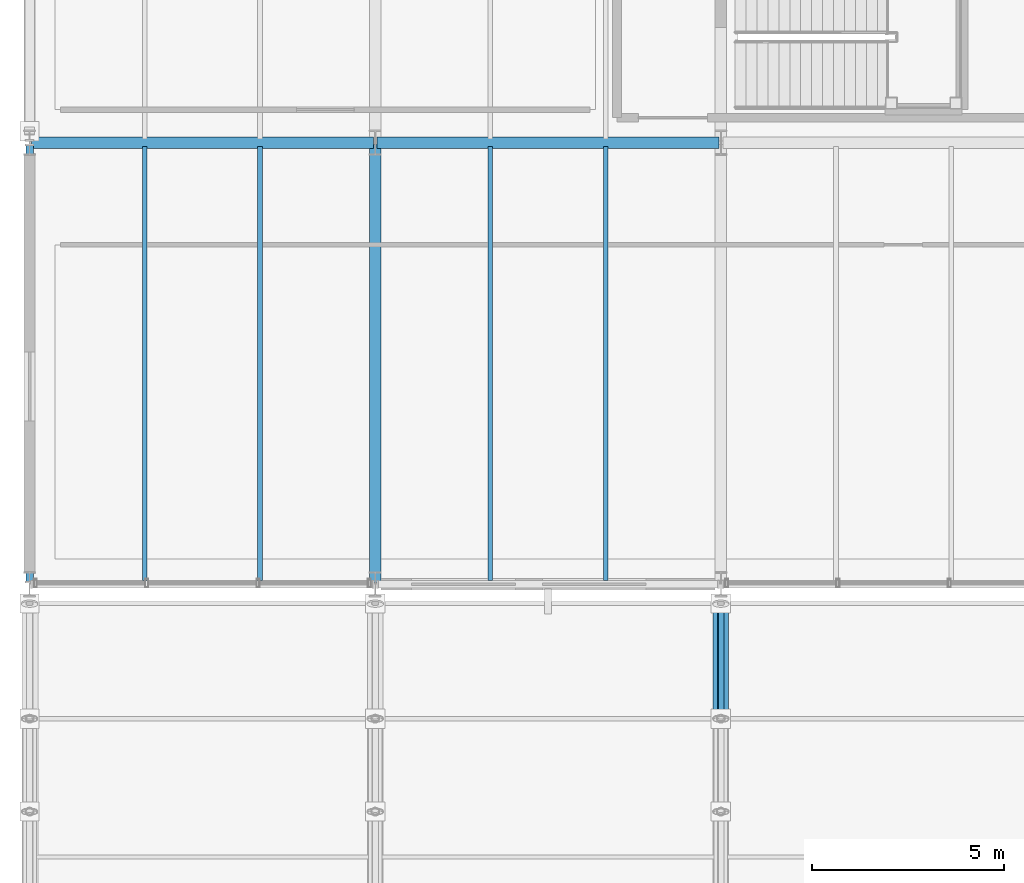
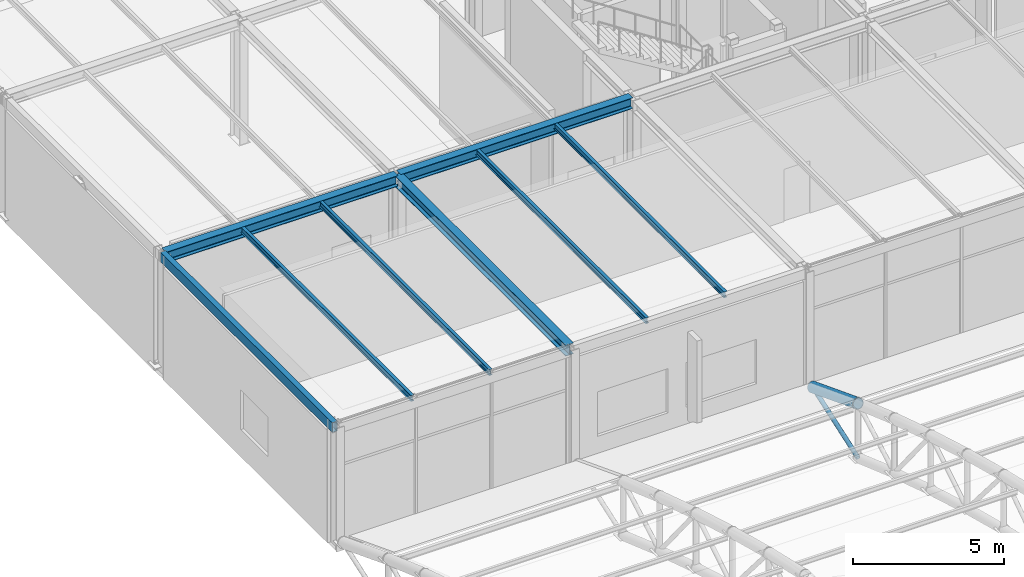
# One storey, part 40 of 195: 8 beams, 2 members.
"""IFC4 building model written with IfcOpenShell, lengths in metres."""

from ifc_helpers import new_model, si_unit, direction, frame, origin, origin_2d, place, context, subcontext, project, spatial, hollow_rectangle, hollow_circle, i_section, extrude, material, material_profile, profile_set, type_object, element, save


model = new_model("IFC4")

# Units and contexts
model_context = context("Model", 3, precision=1e-05, world=origin(), true_north=direction((0.0, 1.0)))
body_context = subcontext(model_context, "Body", "Model", "MODEL_VIEW")
ifc_project = project(units=[si_unit("LENGTHUNIT", "METRE"), si_unit("AREAUNIT", "SQUARE_METRE"), si_unit("VOLUMEUNIT", "CUBIC_METRE"), si_unit("PLANEANGLEUNIT", "RADIAN"), si_unit("MASSUNIT", "GRAM", prefix="KILO")], contexts=[model_context])

# Site, building, storey
site_placement = place(None, origin())
site = spatial("IfcSite", under=ifc_project, at=site_placement, CompositionType="ELEMENT")
building_placement = place(site_placement, origin())
building = spatial("IfcBuilding", under=site, at=building_placement, Name="Marlcrest Central Station", CompositionType="ELEMENT")
storey_placement = place(building_placement, frame((0.0, 0.0, 9.800048828125)))
storey = spatial("IfcBuildingStorey", under=building, at=storey_placement, Name="L02", CompositionType="ELEMENT", Elevation=9.800048828125)

# Members
ifc_material = material(Name="Steel S355", Category="steel")
ifc_material_profile_1 = material_profile(ifc_material, hollow_circle(Radius=0.203125, WallThickness=0.02001953125, at=origin_2d()), Name="CHS 406.4x20")
ifc_profile_set_1 = profile_set([ifc_material_profile_1], Name="Steel S355")
member_type_1 = type_object("IfcMemberType", Name="AC-01", PredefinedType="CHORD", material=ifc_profile_set_1)
member_1_placement = place(storey_placement, frame((18.0, 95.5, 1.599853515625), z_axis=(0.0, 0.933324071143, -0.359035065453), x_axis=(-1.0, 0.0, 0.0)))
element("IfcMember", 1, at=member_1_placement, inside=storey, type_object=member_type_1, Name="mem-AC-01-L02-00391", PredefinedType="CHORD", context=body_context, shape_type="SweptSolid", body=[
    extrude(hollow_circle(Radius=0.203125, WallThickness=0.02001953125, at=origin_2d()), origin(), (0.0, 0.0, 1.0), 3.21435546875),
])
ifc_material_profile_2 = material_profile(ifc_material, hollow_circle(Radius=0.084228515625, WallThickness=0.010009765625, at=origin_2d()), Name="CHS 168.3x10")
ifc_profile_set_2 = profile_set([ifc_material_profile_2], Name="Steel S355")
member_type_2 = type_object("IfcMemberType", Name="AD-01", PredefinedType="BRACE", material=ifc_profile_set_2)
member_2_placement = place(storey_placement, frame((18.0, 95.5, -0.60009765625), z_axis=(0.0, 0.944260188635, 0.329200085296), x_axis=(-1.0, 0.0, 0.0)))
element("IfcMember", 2, at=member_2_placement, inside=storey, type_object=member_type_2, Name="mem-AD-01-L02-00393", PredefinedType="BRACE", context=body_context, shape_type="SweptSolid", body=[
    extrude(hollow_circle(Radius=0.084228515625, WallThickness=0.010009765625, at=origin_2d()), origin(), (0.0, 0.0, 1.0), 3.177001953125),
])

# Beams
ifc_material_profile_3 = material_profile(ifc_material, i_section(OverallWidth=0.300048828125, OverallDepth=0.43994140625, WebThickness=0.011474609375, FlangeThickness=0.02099609375, FilletRadius=0.027099609375, at=origin_2d()), Name="HEA 450")
ifc_profile_set_3 = profile_set([ifc_material_profile_3], Name="Steel S355")
beam_type_1 = type_object("IfcBeamType", Name="BM-09", PredefinedType="BEAM", material=ifc_profile_set_3)
for number, where, z_axis, x_axis, name in (
    (3, (0.050048828125, 110.5, 4.780029296875), (1.0, 0.0, 0.0), (0.0, 1.0, 0.0), "bm-BM-09-L02-00357"),
    (4, (9.050048828125, 110.5, 4.780029296875), (1.0, 0.0, 0.0), (0.0, 1.0, 0.0), "bm-BM-09-L02-00358"),
):
    element("IfcBeam", number, at=place(storey_placement, frame(where, z_axis=z_axis, x_axis=x_axis)), inside=storey, type_object=beam_type_1, Name=name, PredefinedType="BEAM", context=body_context, shape_type="SweptSolid", body=[
        extrude(i_section(OverallWidth=0.300048828125, OverallDepth=0.43994140625, WebThickness=0.011474609375, FlangeThickness=0.02099609375, FilletRadius=0.027099609375, at=origin_2d()), origin(), (0.0, 0.0, 1.0), 8.89990234375),
    ])
beam_1_placement = place(storey_placement, frame((9.0, 99.050048828125, 4.780029296875), z_axis=(0.0, 1.0, 0.0), x_axis=(-1.0, 0.0, 0.0)))
element("IfcBeam", 5, at=beam_1_placement, inside=storey, type_object=beam_type_1, Name="bm-BM-09-L02-00387", PredefinedType="BEAM", context=body_context, shape_type="SweptSolid", body=[
    extrude(i_section(OverallWidth=0.300048828125, OverallDepth=0.43994140625, WebThickness=0.011474609375, FlangeThickness=0.02099609375, FilletRadius=0.027099609375, at=origin_2d()), origin(), (0.0, 0.0, 1.0), 11.39990234375),
])
ifc_material_profile_4 = material_profile(ifc_material, i_section(OverallWidth=0.1201171875, OverallDepth=0.239990234375, WebThickness=0.006103515625, FlangeThickness=0.009765625, FilletRadius=0.014892578125, at=origin_2d()), Name="IPE 240")
ifc_profile_set_4 = profile_set([ifc_material_profile_4], Name="Steel S355")
beam_type_2 = type_object("IfcBeamType", Name="JS-03", PredefinedType="JOIST", material=ifc_profile_set_4)
for number, where, z_axis, x_axis, name in (
    (6, (3.0, 99.094970703125, 4.8798828125), (0.0, 1.0, 0.0), (-1.0, 0.0, 0.0), "bm-JS-03-L02-00414"),
    (7, (6.0, 99.094970703125, 4.8798828125), (0.0, 1.0, 0.0), (-1.0, 0.0, 0.0), "bm-JS-03-L02-00417"),
    (8, (12.0, 99.094970703125, 4.8798828125), (0.0, 1.0, 0.0), (-1.0, 0.0, 0.0), "bm-JS-03-L02-00420"),
    (9, (15.0, 99.094970703125, 4.8798828125), (0.0, 1.0, 0.0), (-1.0, 0.0, 0.0), "bm-JS-03-L02-00423"),
):
    element("IfcBeam", number, at=place(storey_placement, frame(where, z_axis=z_axis, x_axis=x_axis)), inside=storey, type_object=beam_type_2, Name=name, PredefinedType="JOIST", context=body_context, shape_type="SweptSolid", body=[
        extrude(i_section(OverallWidth=0.1201171875, OverallDepth=0.239990234375, WebThickness=0.006103515625, FlangeThickness=0.009765625, FilletRadius=0.014892578125, at=origin_2d()), origin(), (0.0, 0.0, 1.0), 11.304931640625),
    ])
ifc_material_profile_5 = material_profile(ifc_material, hollow_rectangle(XDim=0.199951171875, YDim=0.39990234375, WallThickness=0.01611328125, at=origin_2d()), Name="RHS 400x200x16")
ifc_profile_set_5 = profile_set([ifc_material_profile_5], Name="Steel S355")
beam_type_3 = type_object("IfcBeamType", Name="SP-01", PredefinedType="SPANDREL", material=ifc_profile_set_5)
beam_2_placement = place(storey_placement, frame((0.0, 99.050048828125, 4.800048828125), z_axis=(0.0, 1.0, 0.0), x_axis=(-1.0, 0.0, 0.0)))
element("IfcBeam", 10, at=beam_2_placement, inside=storey, type_object=beam_type_3, Name="bm-SP-01-L02-00384", PredefinedType="SPANDREL", context=body_context, shape_type="SweptSolid", body=[
    extrude(hollow_rectangle(XDim=0.199951171875, YDim=0.39990234375, WallThickness=0.01611328125, at=origin_2d()), origin(), (0.0, 0.0, 1.0), 11.39990234375),
])

save(model, "model.ifc")
